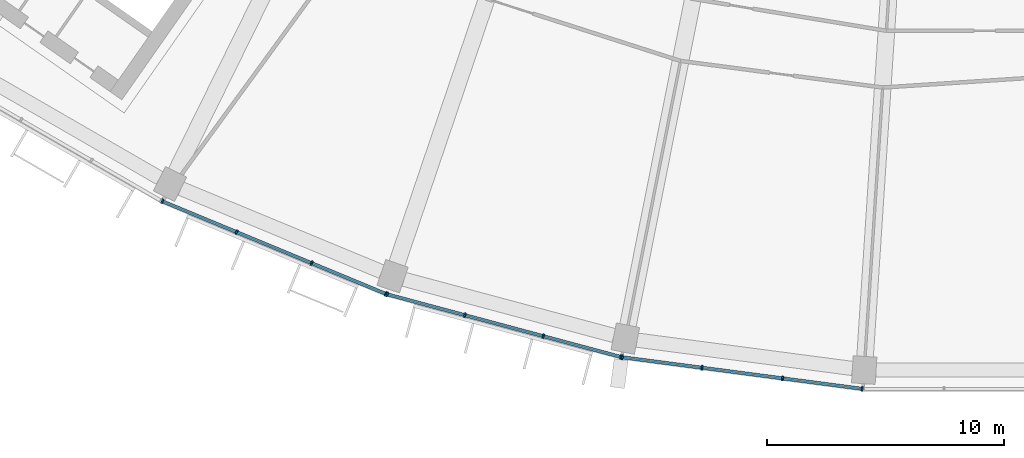
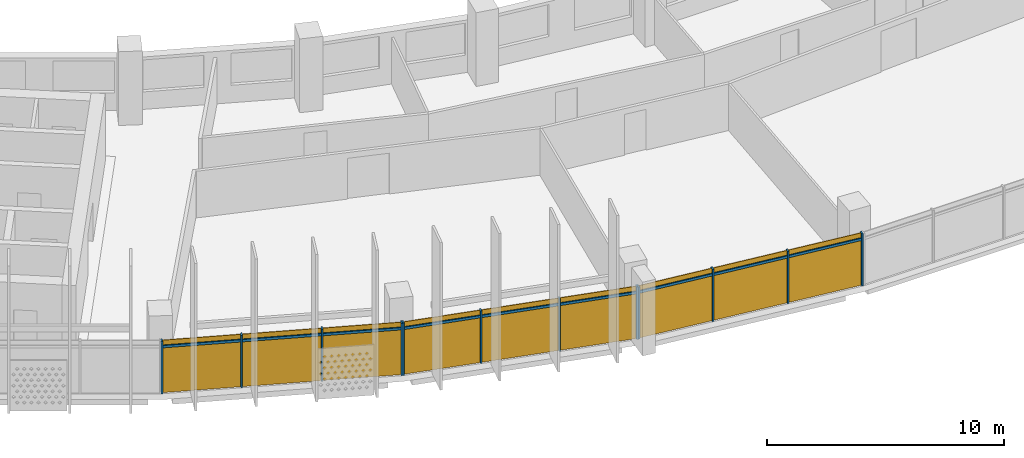
# One storey, part 18 of 27: 21 members, 3 curtain walls.
"""IFC4 building model written with IfcOpenShell, lengths in metres."""

from ifc_helpers import new_model, si_unit, direction, frame, origin, origin_2d, place, context, subcontext, project, spatial, rectangle, extrude, material, material_profile, profile_set, type_object, element, aggregate, save


model = new_model("IFC4")

# Units and contexts
model_context = context("Model", 3, precision=1e-05, world=origin(), true_north=direction((0.0, 1.0)))
body_context = subcontext(model_context, "Body", "Model", "MODEL_VIEW")
ifc_project = project(units=[si_unit("LENGTHUNIT", "METRE"), si_unit("AREAUNIT", "SQUARE_METRE"), si_unit("VOLUMEUNIT", "CUBIC_METRE"), si_unit("PLANEANGLEUNIT", "RADIAN"), si_unit("MASSUNIT", "GRAM", prefix="KILO")], contexts=[model_context])

# Member
ifc_material = material(Name="Aluminium 6063-T6 anodised", Category="aluminium")
ifc_material_profile_1 = material_profile(ifc_material, rectangle(XDim=0.199951171875, YDim=0.070068359375, at=origin_2d()))
ifc_profile_set_1 = profile_set([ifc_material_profile_1], Name="Aluminium 6063-T6 anodised")
member_type_1 = type_object("IfcMemberType", Name="Mullion 70 x 200 aluminium", PredefinedType="MULLION", material=ifc_profile_set_1)
site_placement = place(None, origin())
building_placement = place(site_placement, origin())
storey_placement = place(building_placement, frame((0.0, 0.0, 211.300048828125)))
member_1_placement = place(storey_placement, frame((-34.71533203125, -70.4599609375, 0.0), z_axis=(0.0, 0.0, 1.0), x_axis=(0.382683432365, 0.923879532511, 0.0)))
member_1 = element("IfcMember", 1, at=member_1_placement, type_object=member_type_1, Name="e-cw1-L50-out05/M00", PredefinedType="MULLION", context=body_context, shape_type="SweptSolid", body=[
    extrude(rectangle(XDim=0.199951171875, YDim=0.070068359375, at=origin_2d()), origin(), (0.0, 0.0, 1.0), 2.699951171875),
])

member_2_placement = place(storey_placement, frame((-31.57958984375, -71.759033203125, 0.0), z_axis=(0.0, 0.0, 1.0), x_axis=(0.382683432365, 0.923879532511, 0.0)))
member_2 = element("IfcMember", 2, at=member_2_placement, type_object=member_type_1, Name="e-cw1-L50-out05/M01", PredefinedType="MULLION", context=body_context, shape_type="SweptSolid", body=[
    extrude(rectangle(XDim=0.199951171875, YDim=0.070068359375, at=origin_2d()), origin(), (0.0, 0.0, 1.0), 2.699951171875),
])

member_3_placement = place(storey_placement, frame((-28.4111328125, -73.0712890625, 0.0), z_axis=(0.0, 0.0, 1.0), x_axis=(0.382683432365, 0.923879532511, 0.0)))
member_3 = element("IfcMember", 3, at=member_3_placement, type_object=member_type_1, Name="e-cw1-L50-out05/M02", PredefinedType="MULLION", context=body_context, shape_type="SweptSolid", body=[
    extrude(rectangle(XDim=0.199951171875, YDim=0.070068359375, at=origin_2d()), origin(), (0.0, 0.0, 1.0), 2.699951171875),
])

member_4_placement = place(storey_placement, frame((-25.275390625, -74.370361328125, 0.0), z_axis=(0.0, 0.0, 1.0), x_axis=(0.382683432365, 0.923879532511, 0.0)))
member_4 = element("IfcMember", 4, at=member_4_placement, type_object=member_type_1, Name="e-cw1-L50-out05/M03", PredefinedType="MULLION", context=body_context, shape_type="SweptSolid", body=[
    extrude(rectangle(XDim=0.199951171875, YDim=0.070068359375, at=origin_2d()), origin(), (0.0, 0.0, 1.0), 2.699951171875),
])

member_5_placement = place(storey_placement, frame((-25.221435546875, -74.388427734375, 0.0), z_axis=(0.0, 0.0, 1.0), x_axis=(0.258819045103, 0.965925826289, 0.0)))
member_5 = element("IfcMember", 5, at=member_5_placement, type_object=member_type_1, Name="e-cw1-L50-out06/M00", PredefinedType="MULLION", context=body_context, shape_type="SweptSolid", body=[
    extrude(rectangle(XDim=0.199951171875, YDim=0.070068359375, at=origin_2d()), origin(), (0.0, 0.0, 1.0), 2.699951171875),
])

member_6_placement = place(storey_placement, frame((-21.94287109375, -75.26708984375, 0.0), z_axis=(0.0, 0.0, 1.0), x_axis=(0.258819045103, 0.965925826289, 0.0)))
member_6 = element("IfcMember", 6, at=member_6_placement, type_object=member_type_1, Name="e-cw1-L50-out06/M01", PredefinedType="MULLION", context=body_context, shape_type="SweptSolid", body=[
    extrude(rectangle(XDim=0.199951171875, YDim=0.070068359375, at=origin_2d()), origin(), (0.0, 0.0, 1.0), 2.699951171875),
])

member_7_placement = place(storey_placement, frame((-18.63037109375, -76.154541015625, 0.0), z_axis=(0.0, 0.0, 1.0), x_axis=(0.258819045103, 0.965925826289, 0.0)))
member_7 = element("IfcMember", 7, at=member_7_placement, type_object=member_type_1, Name="e-cw1-L50-out06/M02", PredefinedType="MULLION", context=body_context, shape_type="SweptSolid", body=[
    extrude(rectangle(XDim=0.199951171875, YDim=0.070068359375, at=origin_2d()), origin(), (0.0, 0.0, 1.0), 2.699951171875),
])

member_8_placement = place(storey_placement, frame((-15.351806640625, -77.033203125, 0.0), z_axis=(0.0, 0.0, 1.0), x_axis=(0.258819045103, 0.965925826289, 0.0)))
member_8 = element("IfcMember", 8, at=member_8_placement, type_object=member_type_1, Name="e-cw1-L50-out06/M03", PredefinedType="MULLION", context=body_context, shape_type="SweptSolid", body=[
    extrude(rectangle(XDim=0.199951171875, YDim=0.070068359375, at=origin_2d()), origin(), (0.0, 0.0, 1.0), 2.699951171875),
])

member_9_placement = place(storey_placement, frame((-15.296142578125, -77.044189453125, 0.0), z_axis=(0.0, 0.0, 1.0), x_axis=(0.13052619222, 0.991444861374, 0.0)))
member_9 = element("IfcMember", 9, at=member_9_placement, type_object=member_type_1, Name="e-cw1-L50-out07/M00", PredefinedType="MULLION", context=body_context, shape_type="SweptSolid", body=[
    extrude(rectangle(XDim=0.199951171875, YDim=0.070068359375, at=origin_2d()), origin(), (0.0, 0.0, 1.0), 2.699951171875),
])

member_10_placement = place(storey_placement, frame((-11.930908203125, -77.4873046875, 0.0), z_axis=(0.0, 0.0, 1.0), x_axis=(0.13052619222, 0.991444861374, 0.0)))
member_10 = element("IfcMember", 10, at=member_10_placement, type_object=member_type_1, Name="e-cw1-L50-out07/M01", PredefinedType="MULLION", context=body_context, shape_type="SweptSolid", body=[
    extrude(rectangle(XDim=0.199951171875, YDim=0.070068359375, at=origin_2d()), origin(), (0.0, 0.0, 1.0), 2.699951171875),
])

member_11_placement = place(storey_placement, frame((-8.53076171875, -77.934814453125, 0.0), z_axis=(0.0, 0.0, 1.0), x_axis=(0.13052619222, 0.991444861374, 0.0)))
member_11 = element("IfcMember", 11, at=member_11_placement, type_object=member_type_1, Name="e-cw1-L50-out07/M02", PredefinedType="MULLION", context=body_context, shape_type="SweptSolid", body=[
    extrude(rectangle(XDim=0.199951171875, YDim=0.070068359375, at=origin_2d()), origin(), (0.0, 0.0, 1.0), 2.699951171875),
])

member_12_placement = place(storey_placement, frame((-5.16552734375, -78.3779296875, 0.0), z_axis=(0.0, 0.0, 1.0), x_axis=(0.13052619222, 0.991444861374, 0.0)))
member_12 = element("IfcMember", 12, at=member_12_placement, type_object=member_type_1, Name="e-cw1-L50-out07/M03", PredefinedType="MULLION", context=body_context, shape_type="SweptSolid", body=[
    extrude(rectangle(XDim=0.199951171875, YDim=0.070068359375, at=origin_2d()), origin(), (0.0, 0.0, 1.0), 2.699951171875),
])

ifc_material_profile_2 = material_profile(ifc_material, rectangle(XDim=0.139892578125, YDim=0.1201171875, at=origin_2d()))
ifc_profile_set_2 = profile_set([ifc_material_profile_2], Name="Aluminium 6063-T6 anodised")
member_type_2 = type_object("IfcMemberType", Name="Transom 120 x 140 aluminium", PredefinedType="USERDEFINED", material=ifc_profile_set_2)
member_13_placement = place(storey_placement, frame((-34.68310546875, -70.473388671875, 2.39990234375), z_axis=(0.923874511193, -0.382695554676, 0.0), x_axis=(0.382695554676, 0.923874511193, 0.0)))
member_13 = element("IfcMember", 13, at=member_13_placement, type_object=member_type_2, Name="e-cw1-L50-out05/T00", ObjectType="TRANSOM", PredefinedType="USERDEFINED", context=body_context, shape_type="SweptSolid", body=[
    extrude(rectangle(XDim=0.139892578125, YDim=0.1201171875, at=origin_2d()), origin(), (0.0, 0.0, 1.0), 3.324462890625),
])

member_14_placement = place(storey_placement, frame((-31.547119140625, -71.7724609375, 2.39990234375), z_axis=(0.923891938088, -0.38265348128, 0.0), x_axis=(0.38265348128, 0.923891938088, 0.0)))
member_14 = element("IfcMember", 14, at=member_14_placement, type_object=member_type_2, Name="e-cw1-L50-out05/T01", ObjectType="TRANSOM", PredefinedType="USERDEFINED", context=body_context, shape_type="SweptSolid", body=[
    extrude(rectangle(XDim=0.139892578125, YDim=0.1201171875, at=origin_2d()), origin(), (0.0, 0.0, 1.0), 3.359130859375),
])

member_15_placement = place(storey_placement, frame((-28.37890625, -73.084716796875, 2.39990234375), z_axis=(0.923874511193, -0.382695554676, 0.0), x_axis=(0.382695554676, 0.923874511193, 0.0)))
member_15 = element("IfcMember", 15, at=member_15_placement, type_object=member_type_2, Name="e-cw1-L50-out05/T02", ObjectType="TRANSOM", PredefinedType="USERDEFINED", context=body_context, shape_type="SweptSolid", body=[
    extrude(rectangle(XDim=0.139892578125, YDim=0.1201171875, at=origin_2d()), origin(), (0.0, 0.0, 1.0), 3.324462890625),
])

member_16_placement = place(storey_placement, frame((-25.187744140625, -74.3974609375, 2.39990234375), z_axis=(0.965908708139, -0.25888292246, 0.0), x_axis=(0.25888292246, 0.965908708139, 0.0)))
member_16 = element("IfcMember", 16, at=member_16_placement, type_object=member_type_2, Name="e-cw1-L50-out06/T00", ObjectType="TRANSOM", PredefinedType="USERDEFINED", context=body_context, shape_type="SweptSolid", body=[
    extrude(rectangle(XDim=0.139892578125, YDim=0.1201171875, at=origin_2d()), origin(), (0.0, 0.0, 1.0), 3.32421875),
])

member_17_placement = place(storey_placement, frame((-21.9091796875, -75.276123046875, 2.39990234375), z_axis=(0.965931507774, -0.258797840582, 0.0), x_axis=(0.258797840582, 0.965931507774, 0.0)))
member_17 = element("IfcMember", 17, at=member_17_placement, type_object=member_type_2, Name="e-cw1-L50-out06/T01", ObjectType="TRANSOM", PredefinedType="USERDEFINED", context=body_context, shape_type="SweptSolid", body=[
    extrude(rectangle(XDim=0.139892578125, YDim=0.1201171875, at=origin_2d()), origin(), (0.0, 0.0, 1.0), 3.359375),
])

member_18_placement = place(storey_placement, frame((-18.5966796875, -76.16357421875, 2.39990234375), z_axis=(0.965913629723, -0.258864559019, 0.0), x_axis=(0.258864559019, 0.965913629723, 0.0)))
member_18 = element("IfcMember", 18, at=member_18_placement, type_object=member_type_2, Name="e-cw1-L50-out06/T02", ObjectType="TRANSOM", PredefinedType="USERDEFINED", context=body_context, shape_type="SweptSolid", body=[
    extrude(rectangle(XDim=0.139892578125, YDim=0.1201171875, at=origin_2d()), origin(), (0.0, 0.0, 1.0), 3.324462890625),
])

member_19_placement = place(storey_placement, frame((-15.261474609375, -77.048828125, 2.39990234375), z_axis=(0.991447795146, -0.130503906072, 0.0), x_axis=(0.130503906072, 0.991447795146, 0.0)))
member_19 = element("IfcMember", 19, at=member_19_placement, type_object=member_type_2, Name="e-cw1-L50-out07/T00", ObjectType="TRANSOM", PredefinedType="USERDEFINED", context=body_context, shape_type="SweptSolid", body=[
    extrude(rectangle(XDim=0.139892578125, YDim=0.1201171875, at=origin_2d()), origin(), (0.0, 0.0, 1.0), 3.32421875),
])

member_20_placement = place(storey_placement, frame((-11.896240234375, -77.49169921875, 2.39990234375), z_axis=(0.991444893088, -0.130525951326, 0.0), x_axis=(0.130525951326, 0.991444893088, 0.0)))
member_20 = element("IfcMember", 20, at=member_20_placement, type_object=member_type_2, Name="e-cw1-L50-out07/T01", ObjectType="TRANSOM", PredefinedType="USERDEFINED", context=body_context, shape_type="SweptSolid", body=[
    extrude(rectangle(XDim=0.139892578125, YDim=0.1201171875, at=origin_2d()), origin(), (0.0, 0.0, 1.0), 3.359375),
])

member_21_placement = place(storey_placement, frame((-8.49609375, -77.939453125, 2.39990234375), z_axis=(0.991447795146, -0.130503906072, 0.0), x_axis=(0.130503906072, 0.991447795146, 0.0)))
member_21 = element("IfcMember", 21, at=member_21_placement, type_object=member_type_2, Name="e-cw1-L50-out07/T02", ObjectType="TRANSOM", PredefinedType="USERDEFINED", context=body_context, shape_type="SweptSolid", body=[
    extrude(rectangle(XDim=0.139892578125, YDim=0.1201171875, at=origin_2d()), origin(), (0.0, 0.0, 1.0), 3.32421875),
])

# Site, building, storey
site = spatial("IfcSite", under=ifc_project, at=site_placement, CompositionType="ELEMENT")
building = spatial("IfcBuilding", under=site, at=building_placement, Name="Qamariyya Broadcast Tower", CompositionType="ELEMENT")
storey = spatial("IfcBuildingStorey", under=building, at=storey_placement, Name="L50", CompositionType="ELEMENT", Elevation=211.300048828125)

# Curtain wall
curtain_wall_type = type_object("IfcCurtainWallType", Name="Unitised curtain wall, anodised aluminium", PredefinedType="NOTDEFINED", material=ifc_material)
curtain_wall_1_placement = place(storey_placement, origin())
curtain_wall_1 = element("IfcCurtainWall", 22, at=curtain_wall_1_placement, inside=storey, type_object=curtain_wall_type, Name="e-cw1-L50-out05", PredefinedType="NOTDEFINED", context=body_context, shape_type="SweptSolid", body=[
    extrude(rectangle(XDim=3.32421875, YDim=0.031982421875, at=origin_2d()), frame((-33.1474609375, -71.109375, 0.0), x_axis=(0.923880895135, -0.382680142683, 0.0)), (0.0, 0.0, 1.0), 2.340087890625),
    extrude(rectangle(XDim=3.32421875, YDim=0.031982421875, at=origin_2d()), frame((-33.1474609375, -71.109375, 2.4599609375), x_axis=(0.923880895135, -0.382680142683, 0.0)), (0.0, 0.0, 1.0), 0.239990234375),
    extrude(rectangle(XDim=3.359375, YDim=0.031982421875, at=origin_2d()), frame((-29.995361328125, -72.4150390625, 0.0), x_axis=(0.923880895135, -0.382680142683, 0.0)), (0.0, 0.0, 1.0), 2.340087890625),
    extrude(rectangle(XDim=3.359375, YDim=0.031982421875, at=origin_2d()), frame((-29.995361328125, -72.4150390625, 2.4599609375), x_axis=(0.923880895135, -0.382680142683, 0.0)), (0.0, 0.0, 1.0), 0.239990234375),
    extrude(rectangle(XDim=3.32421875, YDim=0.031982421875, at=origin_2d()), frame((-26.84326171875, -73.720703125, 0.0), x_axis=(0.923880895135, -0.382680142683, 0.0)), (0.0, 0.0, 1.0), 2.340087890625),
    extrude(rectangle(XDim=3.32421875, YDim=0.031982421875, at=origin_2d()), frame((-26.84326171875, -73.720703125, 2.4599609375), x_axis=(0.923880895135, -0.382680142683, 0.0)), (0.0, 0.0, 1.0), 0.239990234375),
])

aggregate(curtain_wall_1, [member_1, member_2, member_3, member_4, member_13, member_14, member_15])

curtain_wall_2_placement = place(storey_placement, origin())
curtain_wall_2 = element("IfcCurtainWall", 23, at=curtain_wall_2_placement, inside=storey, type_object=curtain_wall_type, Name="e-cw1-L50-out06", PredefinedType="NOTDEFINED", context=body_context, shape_type="SweptSolid", body=[
    extrude(rectangle(XDim=3.324462890625, YDim=0.031982421875, at=origin_2d()), frame((-23.582275390625, -74.82763671875, 0.0), x_axis=(0.965923476514, -0.258827814424, 0.0)), (0.0, 0.0, 1.0), 2.340087890625),
    extrude(rectangle(XDim=3.324462890625, YDim=0.031982421875, at=origin_2d()), frame((-23.582275390625, -74.82763671875, 2.4599609375), x_axis=(0.965923476514, -0.258827814424, 0.0)), (0.0, 0.0, 1.0), 0.239990234375),
    extrude(rectangle(XDim=3.359375, YDim=0.031982421875, at=origin_2d()), frame((-20.28662109375, -75.7109375, 0.0), x_axis=(0.965923476514, -0.258827814424, 0.0)), (0.0, 0.0, 1.0), 2.340087890625),
    extrude(rectangle(XDim=3.359375, YDim=0.031982421875, at=origin_2d()), frame((-20.28662109375, -75.7109375, 2.4599609375), x_axis=(0.965923476514, -0.258827814424, 0.0)), (0.0, 0.0, 1.0), 0.239990234375),
    extrude(rectangle(XDim=3.324462890625, YDim=0.031982421875, at=origin_2d()), frame((-16.990966796875, -76.593994140625, 0.0), x_axis=(0.965923476514, -0.258827814424, 0.0)), (0.0, 0.0, 1.0), 2.340087890625),
    extrude(rectangle(XDim=3.324462890625, YDim=0.031982421875, at=origin_2d()), frame((-16.990966796875, -76.593994140625, 2.4599609375), x_axis=(0.965923476514, -0.258827814424, 0.0)), (0.0, 0.0, 1.0), 0.239990234375),
])

aggregate(curtain_wall_2, [member_5, member_6, member_7, member_8, member_16, member_17, member_18])

curtain_wall_3_placement = place(storey_placement, origin())
curtain_wall_3 = element("IfcCurtainWall", 24, at=curtain_wall_3_placement, inside=storey, type_object=curtain_wall_type, Name="e-cw1-L50-out07", PredefinedType="NOTDEFINED", context=body_context, shape_type="SweptSolid", body=[
    extrude(rectangle(XDim=3.32421875, YDim=0.031982421875, at=origin_2d()), frame((-13.613525390625, -77.265625, 0.0), x_axis=(0.991442741341, -0.130542294457, 0.0)), (0.0, 0.0, 1.0), 2.340087890625),
    extrude(rectangle(XDim=3.32421875, YDim=0.031982421875, at=origin_2d()), frame((-13.613525390625, -77.265625, 2.4599609375), x_axis=(0.991442741341, -0.130542294457, 0.0)), (0.0, 0.0, 1.0), 0.239990234375),
    extrude(rectangle(XDim=3.359375, YDim=0.031982421875, at=origin_2d()), frame((-10.23095703125, -77.7109375, 0.0), x_axis=(0.991442741341, -0.130542294457, 0.0)), (0.0, 0.0, 1.0), 2.340087890625),
    extrude(rectangle(XDim=3.359375, YDim=0.031982421875, at=origin_2d()), frame((-10.23095703125, -77.7109375, 2.4599609375), x_axis=(0.991442741341, -0.130542294457, 0.0)), (0.0, 0.0, 1.0), 0.239990234375),
    extrude(rectangle(XDim=3.32421875, YDim=0.031982421875, at=origin_2d()), frame((-6.84814453125, -78.156494140625, 0.0), x_axis=(0.991442741341, -0.130542294457, 0.0)), (0.0, 0.0, 1.0), 2.340087890625),
    extrude(rectangle(XDim=3.32421875, YDim=0.031982421875, at=origin_2d()), frame((-6.84814453125, -78.156494140625, 2.4599609375), x_axis=(0.991442741341, -0.130542294457, 0.0)), (0.0, 0.0, 1.0), 0.239990234375),
])

aggregate(curtain_wall_3, [member_9, member_10, member_11, member_12, member_19, member_20, member_21])

save(model, "model.ifc")
